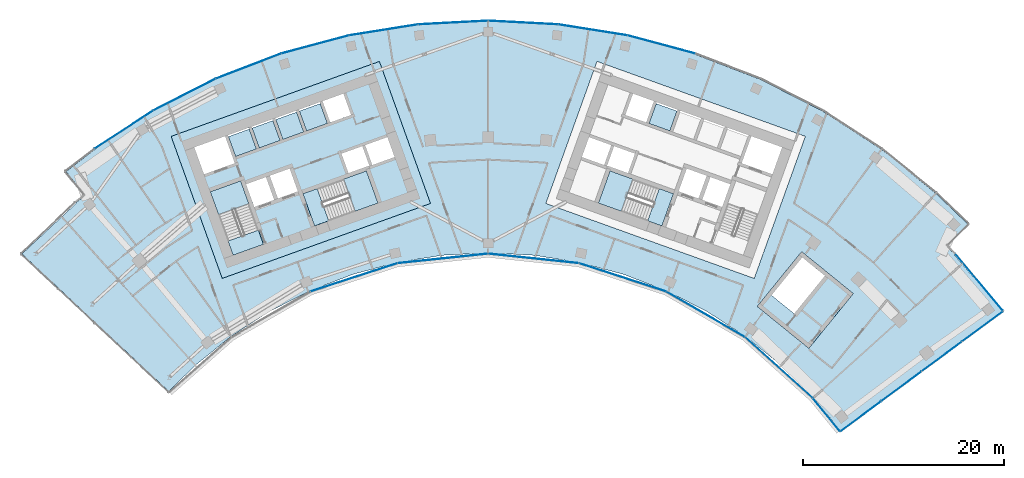
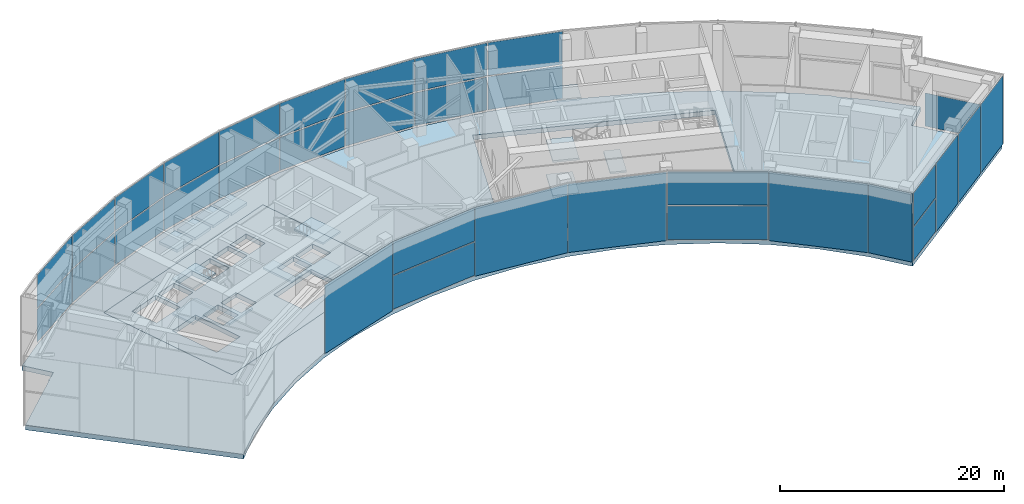
# One storey, part 14 of 26: 33 plates, 17 slabs, 7 elements without a shape of their own.
"""IFC4 building model written with IfcOpenShell, lengths in metres."""

from ifc_helpers import new_model, si_unit, direction, frame, origin, origin_2d, place, context, subcontext, project, spatial, polyline, rectangle, outline, extrude, material, layer, layer_set, type_object, element, aggregate, save


model = new_model("IFC4")

# Units and contexts
model_context = context("Model", 3, precision=1e-05, world=origin(), true_north=direction((0.0, 1.0)))
body_context = subcontext(model_context, "Body", "Model", "MODEL_VIEW")
ifc_project = project(units=[si_unit("LENGTHUNIT", "METRE"), si_unit("AREAUNIT", "SQUARE_METRE"), si_unit("VOLUMEUNIT", "CUBIC_METRE"), si_unit("PLANEANGLEUNIT", "RADIAN"), si_unit("MASSUNIT", "GRAM", prefix="KILO")], contexts=[model_context])

# Site, building, storey
site_placement = place(None, origin())
site = spatial("IfcSite", under=ifc_project, at=site_placement, CompositionType="ELEMENT")
building_placement = place(site_placement, origin())
building = spatial("IfcBuilding", under=site, at=building_placement, Name="Stone Belt Terrace Tower", CompositionType="ELEMENT")
storey_placement = place(building_placement, frame((0.0, 0.0, 250.39990234375)))
storey = spatial("IfcBuildingStorey", under=building, at=storey_placement, Name="L61", CompositionType="ELEMENT", Elevation=250.39990234375)

# Curtain wall, plates
ifc_material_1 = material(Name="Aluminium 6063-T6 anodised frame", Category="aluminium")
ifc_layer_1 = layer(ifc_material_1, 0.14990234375)
ifc_layer_set_1 = layer_set([ifc_layer_1], Name="CW-A unitised convex-face curtain wall")
curtain_wall_type_1 = type_object("IfcCurtainWallType", Name="CW-A unitised convex-face curtain wall", PredefinedType="NOTDEFINED", material=ifc_layer_set_1)
curtain_wall_1_placement = place(storey_placement, origin())
curtain_wall_1 = element("IfcCurtainWall", 1, at=curtain_wall_1_placement, inside=storey, type_object=curtain_wall_type_1, Name="CW-A convex face L61", PredefinedType="NOTDEFINED")
ifc_material_2 = material(Name="Terracotta coloured glazed ceramic", Category="masonry")
ifc_layer_2 = layer(ifc_material_2, 0.031982421875)
ifc_layer_set_2 = layer_set([ifc_layer_2], Name="CW-A ceramic louvre panel 32")
plate_type_1 = type_object("IfcPlateType", Name="CW-A ceramic louvre panel 32", PredefinedType="CURTAIN_PANEL", material=ifc_layer_set_2)
plate_1_placement = place(storey_placement, frame((17.207275390625, 64.218505859375, 0.14013671875), z_axis=(0.0, 0.0, 1.0), x_axis=(-0.965925826289, 0.258819045103, 0.0)))
plate_1 = element("IfcPlate", 2, at=plate_1_placement, type_object=plate_type_1, Name="CW-A louvre panel 6.1", PredefinedType="CURTAIN_PANEL", context=body_context, shape_type="SweptSolid", body=[
    extrude(rectangle(XDim=6.90087890625, YDim=0.031982421875, at=origin_2d()), origin(), (0.0, 0.0, 1.0), 3.590087890625),
])
plate_2_placement = place(storey_placement, frame((17.207275390625, 64.218505859375, 3.8701171875), z_axis=(0.0, 0.0, 1.0), x_axis=(-0.965925826289, 0.258819045103, 0.0)))
plate_2 = element("IfcPlate", 3, at=plate_2_placement, type_object=plate_type_1, Name="CW-A louvre panel 6.2", PredefinedType="CURTAIN_PANEL", context=body_context, shape_type="SweptSolid", body=[
    extrude(rectangle(XDim=6.90087890625, YDim=0.031982421875, at=origin_2d()), origin(), (0.0, 0.0, 1.0), 3.590087890625),
])
plate_3_placement = place(storey_placement, frame((10.400390625, 65.665283203125, 0.14013671875), z_axis=(0.0, 0.0, 1.0), x_axis=(-0.987688340595, 0.15643446504, 0.0)))
plate_3 = element("IfcPlate", 4, at=plate_3_placement, type_object=plate_type_1, Name="CW-A louvre panel 7.1", PredefinedType="CURTAIN_PANEL", context=body_context, shape_type="SweptSolid", body=[
    extrude(rectangle(XDim=6.90087890625, YDim=0.031982421875, at=origin_2d()), origin(), (0.0, 0.0, 1.0), 3.590087890625),
])
plate_4_placement = place(storey_placement, frame((10.400390625, 65.665283203125, 3.8701171875), z_axis=(0.0, 0.0, 1.0), x_axis=(-0.987688340595, 0.15643446504, 0.0)))
plate_4 = element("IfcPlate", 5, at=plate_4_placement, type_object=plate_type_1, Name="CW-A louvre panel 7.2", PredefinedType="CURTAIN_PANEL", context=body_context, shape_type="SweptSolid", body=[
    extrude(rectangle(XDim=6.90087890625, YDim=0.031982421875, at=origin_2d()), origin(), (0.0, 0.0, 1.0), 3.590087890625),
])
plate_5_placement = place(storey_placement, frame((3.4794921875, 66.392822265625, 0.14013671875), z_axis=(0.0, 0.0, 1.0), x_axis=(-0.998629534755, 0.052335956243, 0.0)))
plate_5 = element("IfcPlate", 6, at=plate_5_placement, type_object=plate_type_1, Name="CW-A louvre panel 8.1", PredefinedType="CURTAIN_PANEL", context=body_context, shape_type="SweptSolid", body=[
    extrude(rectangle(XDim=6.90087890625, YDim=0.031982421875, at=origin_2d()), origin(), (0.0, 0.0, 1.0), 3.590087890625),
])
plate_6_placement = place(storey_placement, frame((3.4794921875, 66.392822265625, 3.8701171875), z_axis=(0.0, 0.0, 1.0), x_axis=(-0.998629534755, 0.052335956243, 0.0)))
plate_6 = element("IfcPlate", 7, at=plate_6_placement, type_object=plate_type_1, Name="CW-A louvre panel 8.2", PredefinedType="CURTAIN_PANEL", context=body_context, shape_type="SweptSolid", body=[
    extrude(rectangle(XDim=6.90087890625, YDim=0.031982421875, at=origin_2d()), origin(), (0.0, 0.0, 1.0), 3.590087890625),
])
plate_7_placement = place(storey_placement, frame((-3.4794921875, 66.392822265625, 0.14013671875), z_axis=(0.0, 0.0, 1.0), x_axis=(-0.998629534755, -0.052335956243, 0.0)))
plate_7 = element("IfcPlate", 8, at=plate_7_placement, type_object=plate_type_1, Name="CW-A louvre panel 9.1", PredefinedType="CURTAIN_PANEL", context=body_context, shape_type="SweptSolid", body=[
    extrude(rectangle(XDim=6.90087890625, YDim=0.031982421875, at=origin_2d()), origin(), (0.0, 0.0, 1.0), 3.590087890625),
])
plate_8_placement = place(storey_placement, frame((-3.4794921875, 66.392822265625, 3.8701171875), z_axis=(0.0, 0.0, 1.0), x_axis=(-0.998629534755, -0.052335956243, 0.0)))
plate_8 = element("IfcPlate", 9, at=plate_8_placement, type_object=plate_type_1, Name="CW-A louvre panel 9.2", PredefinedType="CURTAIN_PANEL", context=body_context, shape_type="SweptSolid", body=[
    extrude(rectangle(XDim=6.90087890625, YDim=0.031982421875, at=origin_2d()), origin(), (0.0, 0.0, 1.0), 3.590087890625),
])
plate_9_placement = place(storey_placement, frame((-10.400390625, 65.665283203125, 0.14013671875), z_axis=(0.0, 0.0, 1.0), x_axis=(-0.987688340595, -0.15643446504, 0.0)))
plate_9 = element("IfcPlate", 10, at=plate_9_placement, type_object=plate_type_1, Name="CW-A louvre panel 10.1", PredefinedType="CURTAIN_PANEL", context=body_context, shape_type="SweptSolid", body=[
    extrude(rectangle(XDim=6.90087890625, YDim=0.031982421875, at=origin_2d()), origin(), (0.0, 0.0, 1.0), 3.590087890625),
])
plate_10_placement = place(storey_placement, frame((-10.400390625, 65.665283203125, 3.8701171875), z_axis=(0.0, 0.0, 1.0), x_axis=(-0.987688340595, -0.15643446504, 0.0)))
plate_10 = element("IfcPlate", 11, at=plate_10_placement, type_object=plate_type_1, Name="CW-A louvre panel 10.2", PredefinedType="CURTAIN_PANEL", context=body_context, shape_type="SweptSolid", body=[
    extrude(rectangle(XDim=6.90087890625, YDim=0.031982421875, at=origin_2d()), origin(), (0.0, 0.0, 1.0), 3.590087890625),
])
plate_11_placement = place(storey_placement, frame((-17.207275390625, 64.218505859375, 0.14013671875), z_axis=(0.0, 0.0, 1.0), x_axis=(-0.965925826289, -0.258819045103, 0.0)))
plate_11 = element("IfcPlate", 12, at=plate_11_placement, type_object=plate_type_1, Name="CW-A louvre panel 11.1", PredefinedType="CURTAIN_PANEL", context=body_context, shape_type="SweptSolid", body=[
    extrude(rectangle(XDim=6.90087890625, YDim=0.031982421875, at=origin_2d()), origin(), (0.0, 0.0, 1.0), 3.590087890625),
])
plate_12_placement = place(storey_placement, frame((-17.207275390625, 64.218505859375, 3.8701171875), z_axis=(0.0, 0.0, 1.0), x_axis=(-0.965925826289, -0.258819045103, 0.0)))
plate_12 = element("IfcPlate", 13, at=plate_12_placement, type_object=plate_type_1, Name="CW-A louvre panel 11.2", PredefinedType="CURTAIN_PANEL", context=body_context, shape_type="SweptSolid", body=[
    extrude(rectangle(XDim=6.90087890625, YDim=0.031982421875, at=origin_2d()), origin(), (0.0, 0.0, 1.0), 3.590087890625),
])
plate_13_placement = place(storey_placement, frame((-23.82568359375, 62.068115234375, 0.14013671875), z_axis=(0.0, 0.0, 1.0), x_axis=(-0.933580426497, -0.358367949545, 0.0)))
plate_13 = element("IfcPlate", 14, at=plate_13_placement, type_object=plate_type_1, Name="CW-A louvre panel 12.1", PredefinedType="CURTAIN_PANEL", context=body_context, shape_type="SweptSolid", body=[
    extrude(rectangle(XDim=6.90087890625, YDim=0.031982421875, at=origin_2d()), origin(), (0.0, 0.0, 1.0), 3.590087890625),
])
plate_14_placement = place(storey_placement, frame((-23.82568359375, 62.068115234375, 3.8701171875), z_axis=(0.0, 0.0, 1.0), x_axis=(-0.933580426497, -0.358367949545, 0.0)))
plate_14 = element("IfcPlate", 15, at=plate_14_placement, type_object=plate_type_1, Name="CW-A louvre panel 12.2", PredefinedType="CURTAIN_PANEL", context=body_context, shape_type="SweptSolid", body=[
    extrude(rectangle(XDim=6.90087890625, YDim=0.031982421875, at=origin_2d()), origin(), (0.0, 0.0, 1.0), 3.590087890625),
])
plate_15_placement = place(storey_placement, frame((-30.18310546875, 59.237548828125, 0.14013671875), z_axis=(0.0, 0.0, 1.0), x_axis=(-0.891006524188, -0.45399049974, 0.0)))
plate_15 = element("IfcPlate", 16, at=plate_15_placement, type_object=plate_type_1, Name="CW-A louvre panel 13.1", PredefinedType="CURTAIN_PANEL", context=body_context, shape_type="SweptSolid", body=[
    extrude(rectangle(XDim=6.90087890625, YDim=0.031982421875, at=origin_2d()), origin(), (0.0, 0.0, 1.0), 3.590087890625),
])
plate_16_placement = place(storey_placement, frame((-30.18310546875, 59.237548828125, 3.8701171875), z_axis=(0.0, 0.0, 1.0), x_axis=(-0.891006524188, -0.45399049974, 0.0)))
plate_16 = element("IfcPlate", 17, at=plate_16_placement, type_object=plate_type_1, Name="CW-A louvre panel 13.2", PredefinedType="CURTAIN_PANEL", context=body_context, shape_type="SweptSolid", body=[
    extrude(rectangle(XDim=6.90087890625, YDim=0.031982421875, at=origin_2d()), origin(), (0.0, 0.0, 1.0), 3.590087890625),
])
plate_17_placement = place(storey_placement, frame((-36.209716796875, 55.758056640625, 0.14013671875), z_axis=(0.0, 0.0, 1.0), x_axis=(-0.838670567945, -0.544639035015, 0.0)))
plate_17 = element("IfcPlate", 18, at=plate_17_placement, type_object=plate_type_1, Name="CW-A louvre panel 14.1", PredefinedType="CURTAIN_PANEL", context=body_context, shape_type="SweptSolid", body=[
    extrude(rectangle(XDim=6.900634765625, YDim=0.031982421875, at=origin_2d()), origin(), (0.0, 0.0, 1.0), 3.590087890625),
])
plate_18_placement = place(storey_placement, frame((-36.209716796875, 55.758056640625, 3.8701171875), z_axis=(0.0, 0.0, 1.0), x_axis=(-0.838670567945, -0.544639035015, 0.0)))
plate_18 = element("IfcPlate", 19, at=plate_18_placement, type_object=plate_type_1, Name="CW-A louvre panel 14.2", PredefinedType="CURTAIN_PANEL", context=body_context, shape_type="SweptSolid", body=[
    extrude(rectangle(XDim=6.900634765625, YDim=0.031982421875, at=origin_2d()), origin(), (0.0, 0.0, 1.0), 3.590087890625),
])
aggregate(curtain_wall_1, [plate_1, plate_2, plate_3, plate_4, plate_5, plate_6, plate_7, plate_8, plate_9, plate_10, plate_11, plate_12, plate_13, plate_14, plate_15, plate_16, plate_17, plate_18])

ifc_layer_3 = layer(ifc_material_1, 0.14990234375)
ifc_layer_set_3 = layer_set([ifc_layer_3], Name="CW-B unitised concave-face curtain wall")
curtain_wall_type_2 = type_object("IfcCurtainWallType", Name="CW-B unitised concave-face curtain wall", PredefinedType="NOTDEFINED", material=ifc_layer_set_3)
curtain_wall_2_placement = place(storey_placement, origin())
curtain_wall_2 = element("IfcCurtainWall", 20, at=curtain_wall_2_placement, inside=storey, type_object=curtain_wall_type_2, Name="CW-B concave face L61", PredefinedType="NOTDEFINED")
ifc_layer_4 = layer(ifc_material_2, 0.030029296875)
ifc_layer_set_4 = layer_set([ifc_layer_4], Name="CW-B ceramic louvre panel 30")
plate_type_2 = type_object("IfcPlateType", Name="CW-B ceramic louvre panel 30", PredefinedType="CURTAIN_PANEL", material=ifc_layer_set_4)
plate_19_placement = place(storey_placement, frame((-13.345458984375, 41.072998046875, 0.0), z_axis=(0.0, 0.0, 1.0), x_axis=(0.951056516295, 0.309016994375, 0.0)))
plate_19 = element("IfcPlate", 21, at=plate_19_placement, type_object=plate_type_2, Name="CW-B louvre panel 3.1", PredefinedType="CURTAIN_PANEL", context=body_context, shape_type="SweptSolid", body=[
    extrude(rectangle(XDim=9.0126953125, YDim=0.030029296875, at=origin_2d()), origin(), (0.0, 0.0, 1.0), 7.47998046875),
])
plate_20_placement = place(storey_placement, frame((-4.51416015625, 42.9501953125, 0.1201171875), z_axis=(0.0, 0.0, 1.0), x_axis=(0.994521895368, 0.104528463268, 0.0)))
plate_20 = element("IfcPlate", 22, at=plate_20_placement, type_object=plate_type_2, Name="CW-B louvre panel 4.1", PredefinedType="CURTAIN_PANEL", context=body_context, shape_type="SweptSolid", body=[
    extrude(rectangle(XDim=9.0126953125, YDim=0.030029296875, at=origin_2d()), origin(), (0.0, 0.0, 1.0), 3.6201171875),
])
plate_21_placement = place(storey_placement, frame((-4.51416015625, 42.9501953125, 3.860107421875), z_axis=(0.0, 0.0, 1.0), x_axis=(0.994521895368, 0.104528463268, 0.0)))
plate_21 = element("IfcPlate", 23, at=plate_21_placement, type_object=plate_type_2, Name="CW-B louvre panel 4.2", PredefinedType="CURTAIN_PANEL", context=body_context, shape_type="SweptSolid", body=[
    extrude(rectangle(XDim=9.0126953125, YDim=0.030029296875, at=origin_2d()), origin(), (0.0, 0.0, 1.0), 3.6201171875),
])
plate_22_placement = place(storey_placement, frame((4.51416015625, 42.9501953125, 0.0), z_axis=(0.0, 0.0, 1.0), x_axis=(0.994521895368, -0.104528463268, 0.0)))
plate_22 = element("IfcPlate", 24, at=plate_22_placement, type_object=plate_type_2, Name="CW-B louvre panel 5.1", PredefinedType="CURTAIN_PANEL", context=body_context, shape_type="SweptSolid", body=[
    extrude(rectangle(XDim=9.0126953125, YDim=0.030029296875, at=origin_2d()), origin(), (0.0, 0.0, 1.0), 7.47998046875),
])
plate_23_placement = place(storey_placement, frame((13.345458984375, 41.072998046875, 0.0), z_axis=(0.0, 0.0, 1.0), x_axis=(0.951056516295, -0.309016994375, 0.0)))
plate_23 = element("IfcPlate", 25, at=plate_23_placement, type_object=plate_type_2, Name="CW-B louvre panel 6.1", PredefinedType="CURTAIN_PANEL", context=body_context, shape_type="SweptSolid", body=[
    extrude(rectangle(XDim=9.0126953125, YDim=0.030029296875, at=origin_2d()), origin(), (0.0, 0.0, 1.0), 7.47998046875),
])
plate_24_placement = place(storey_placement, frame((21.59326171875, 37.40087890625, 0.1201171875), z_axis=(0.0, 0.0, 1.0), x_axis=(0.866025403784, -0.5, 0.0)))
plate_24 = element("IfcPlate", 26, at=plate_24_placement, type_object=plate_type_2, Name="CW-B louvre panel 7.1", PredefinedType="CURTAIN_PANEL", context=body_context, shape_type="SweptSolid", body=[
    extrude(rectangle(XDim=9.0126953125, YDim=0.030029296875, at=origin_2d()), origin(), (0.0, 0.0, 1.0), 3.6201171875),
])
plate_25_placement = place(storey_placement, frame((21.59326171875, 37.40087890625, 3.860107421875), z_axis=(0.0, 0.0, 1.0), x_axis=(0.866025403784, -0.5, 0.0)))
plate_25 = element("IfcPlate", 27, at=plate_25_placement, type_object=plate_type_2, Name="CW-B louvre panel 7.2", PredefinedType="CURTAIN_PANEL", context=body_context, shape_type="SweptSolid", body=[
    extrude(rectangle(XDim=9.0126953125, YDim=0.030029296875, at=origin_2d()), origin(), (0.0, 0.0, 1.0), 3.6201171875),
])
plate_26_placement = place(storey_placement, frame((28.899169921875, 32.092529296875, 0.0), z_axis=(0.0, 0.0, 1.0), x_axis=(0.743144825477, -0.669130606359, 0.0)))
plate_26 = element("IfcPlate", 28, at=plate_26_placement, type_object=plate_type_2, Name="CW-B louvre panel 8.1", PredefinedType="CURTAIN_PANEL", context=body_context, shape_type="SweptSolid", body=[
    extrude(rectangle(XDim=9.01708984375, YDim=0.030029296875, at=origin_2d()), origin(), (0.0, 0.0, 1.0), 7.47998046875),
])
plate_27_placement = place(storey_placement, frame((33.611572265625, 27.4150390625, 0.0), z_axis=(0.0, 0.0, 1.0), x_axis=(0.632397726807, -0.774643863417, 0.0)))
plate_27 = element("IfcPlate", 29, at=plate_27_placement, type_object=plate_type_2, Name="CW-B louvre panel 9.1", PredefinedType="CURTAIN_PANEL", context=body_context, shape_type="SweptSolid", body=[
    extrude(rectangle(XDim=4.173828125, YDim=0.030029296875, at=origin_2d()), origin(), (0.0, 0.0, 1.0), 7.47998046875),
])
aggregate(curtain_wall_2, [plate_19, plate_20, plate_21, plate_22, plate_23, plate_24, plate_25, plate_26, plate_27])

ifc_layer_5 = layer(ifc_material_1, 0.14990234375)
ifc_layer_set_5 = layer_set([ifc_layer_5], Name="CW-C stick curtain wall, horn ends and notches")
curtain_wall_type_3 = type_object("IfcCurtainWallType", Name="CW-C stick curtain wall, horn ends and notches", PredefinedType="NOTDEFINED", material=ifc_layer_set_5)
curtain_wall_3_placement = place(storey_placement, origin())
curtain_wall_3 = element("IfcCurtainWall", 30, at=curtain_wall_3_placement, inside=storey, type_object=curtain_wall_type_3, Name="CW-C end face L61", PredefinedType="NOTDEFINED")
ifc_layer_6 = layer(ifc_material_2, 0.028076171875)
ifc_layer_set_6 = layer_set([ifc_layer_6], Name="CW-C ceramic louvre panel 28")
plate_type_3 = type_object("IfcPlateType", Name="CW-C ceramic louvre panel 28", PredefinedType="CURTAIN_PANEL", material=ifc_layer_set_6)
plate_28_placement = place(storey_placement, frame((37.032470703125, 27.263916015625, 0.1201171875), z_axis=(0.0, 0.0, 1.0), x_axis=(0.804329077539, 0.594184091865, 0.0)))
plate_28 = element("IfcPlate", 31, at=plate_28_placement, type_object=plate_type_3, Name="CW-C louvre panel 1.1", PredefinedType="CURTAIN_PANEL", context=body_context, shape_type="SweptSolid", body=[
    extrude(rectangle(XDim=4.968017578125, YDim=0.028076171875, at=origin_2d()), origin(), (0.0, 0.0, 1.0), 3.6201171875),
])
plate_29_placement = place(storey_placement, frame((37.032470703125, 27.263916015625, 3.860107421875), z_axis=(0.0, 0.0, 1.0), x_axis=(0.804329077539, 0.594184091865, 0.0)))
plate_29 = element("IfcPlate", 32, at=plate_29_placement, type_object=plate_type_3, Name="CW-C louvre panel 1.2", PredefinedType="CURTAIN_PANEL", context=body_context, shape_type="SweptSolid", body=[
    extrude(rectangle(XDim=4.968017578125, YDim=0.028076171875, at=origin_2d()), origin(), (0.0, 0.0, 1.0), 3.6201171875),
])
plate_30_placement = place(storey_placement, frame((41.0654296875, 30.2431640625, 0.0), z_axis=(0.0, 0.0, 1.0), x_axis=(0.804329077539, 0.594184091865, 0.0)))
plate_30 = element("IfcPlate", 33, at=plate_30_placement, type_object=plate_type_3, Name="CW-C louvre panel 2.1", PredefinedType="CURTAIN_PANEL", context=body_context, shape_type="SweptSolid", body=[
    extrude(rectangle(XDim=4.93994140625, YDim=0.028076171875, at=origin_2d()), origin(), (0.0, 0.0, 1.0), 7.47998046875),
])
plate_31_placement = place(storey_placement, frame((45.0869140625, 33.2138671875, 0.0), z_axis=(0.0, 0.0, 1.0), x_axis=(0.804329077539, 0.594184091865, 0.0)))
plate_31 = element("IfcPlate", 34, at=plate_31_placement, type_object=plate_type_3, Name="CW-C louvre panel 3.1", PredefinedType="CURTAIN_PANEL", context=body_context, shape_type="SweptSolid", body=[
    extrude(rectangle(XDim=4.93994140625, YDim=0.028076171875, at=origin_2d()), origin(), (0.0, 0.0, 1.0), 7.47998046875),
])
plate_32_placement = place(storey_placement, frame((49.12255859375, 36.195068359375, 0.0), z_axis=(0.0, 0.0, 1.0), x_axis=(0.804329077539, 0.594184091865, 0.0)))
plate_32 = element("IfcPlate", 35, at=plate_32_placement, type_object=plate_type_3, Name="CW-C louvre panel 4.1", PredefinedType="CURTAIN_PANEL", context=body_context, shape_type="SweptSolid", body=[
    extrude(rectangle(XDim=4.974365234375, YDim=0.028076171875, at=origin_2d()), origin(), (0.0, 0.0, 1.0), 7.47998046875),
])
aggregate(curtain_wall_3, [plate_28, plate_29, plate_30, plate_31, plate_32])

# Curtain wall, plate
curtain_wall_4_placement = place(storey_placement, origin())
curtain_wall_4 = element("IfcCurtainWall", 36, at=curtain_wall_4_placement, inside=storey, type_object=curtain_wall_type_3, Name="CW-C notch face L61", PredefinedType="NOTDEFINED")
plate_33_placement = place(storey_placement, frame((48.780517578125, 40.602783203125, 0.1201171875), z_axis=(0.0, 0.0, 1.0), x_axis=(-0.639949612294, 0.768416874961, 0.0)))
plate_33 = element("IfcPlate", 37, at=plate_33_placement, type_object=plate_type_3, Name="CW-C louvre panel 1.1", PredefinedType="CURTAIN_PANEL", context=body_context, shape_type="SweptSolid", body=[
    extrude(rectangle(XDim=7.359375, YDim=0.028076171875, at=origin_2d()), origin(), (0.0, 0.0, 1.0), 3.6201171875),
])
aggregate(curtain_wall_4, [plate_33])

# Slabs
ifc_material_3 = material(Name="Concrete B40", Category="concrete")
ifc_layer_7 = layer(ifc_material_3, 0.5)
ifc_layer_set_7 = layer_set([ifc_layer_7], Name="Core floor slab 500")
slab_type_1 = type_object("IfcSlabType", Name="Core floor slab 500", PredefinedType="FLOOR", material=ifc_layer_set_7)
slab_1_placement = place(storey_placement, frame((0.0, 0.0, -0.5)))
element("IfcSlab", 38, at=slab_1_placement, inside=storey, type_object=slab_type_1, Name="Core A floor L61", PredefinedType="FLOOR", context=body_context, shape_type="SweptSolid", body=[
    extrude(outline(polyline([(-26.43505859375, 40.968994140625), (-5.735107421875, 48.4189453125), (-10.81396484375, 62.531982421875), (-31.513916015625, 55.0830078125), (-26.43505859375, 40.968994140625)]), holes=[polyline([(-24.60791015625, 50.659912109375), (-22.847900390625, 45.76806640625), (-25.85888671875, 44.68408203125), (-27.618896484375, 49.575927734375), (-24.60791015625, 50.659912109375)]), polyline([(-21.27392578125, 48.778076171875), (-23.25, 48.06689453125), (-24.06298828125, 50.324951171875), (-22.0869140625, 51.035888671875), (-21.27392578125, 48.778076171875)]), polyline([(-18.922119140625, 49.6240234375), (-20.89794921875, 48.9130859375), (-21.7109375, 51.1708984375), (-19.735107421875, 51.883056640625), (-18.922119140625, 49.6240234375)]), polyline([(-28.24609375, 51.31689453125), (-29.2109375, 53.9990234375), (-26.153076171875, 55.09912109375), (-25.18798828125, 52.41796875), (-28.24609375, 51.31689453125)]), polyline([(-23.801025390625, 55.946044921875), (-23.0390625, 53.8291015625), (-25.10888671875, 53.083984375), (-25.87109375, 55.200927734375), (-23.801025390625, 55.946044921875)]), polyline([(-21.447998046875, 56.7919921875), (-20.68603515625, 54.675048828125), (-22.756103515625, 53.929931640625), (-23.51806640625, 56.047119140625), (-21.447998046875, 56.7919921875)]), polyline([(-10.955078125, 48.452880859375), (-15.846923828125, 46.69189453125), (-16.998046875, 49.89208984375), (-12.10595703125, 51.652099609375), (-10.955078125, 48.452880859375)]), polyline([(-11.847900390625, 52.116943359375), (-11.864990234375, 52.1640625), (-13.887939453125, 51.43603515625), (-14.58203125, 53.364990234375), (-12.511962890625, 54.110107421875), (-11.801025390625, 52.134033203125), (-11.847900390625, 52.116943359375)]), polyline([(-9.30810546875, 53.031005859375), (-11.51904296875, 52.235107421875), (-12.22998046875, 54.2109375), (-10.01904296875, 55.007080078125), (-9.30810546875, 53.031005859375)]), polyline([(-21.166015625, 56.89404296875), (-19.095947265625, 57.638916015625), (-18.333984375, 55.52197265625), (-20.404052734375, 54.777099609375), (-21.166015625, 56.89404296875)]), polyline([(-16.743896484375, 58.485107421875), (-15.98193359375, 56.367919921875), (-18.052001953125, 55.623046875), (-18.81396484375, 57.739990234375), (-16.743896484375, 58.485107421875)]), polyline([(-14.39111328125, 59.33203125), (-13.6298828125, 57.215087890625), (-15.699951171875, 56.469970703125), (-16.4609375, 58.5869140625), (-14.39111328125, 59.33203125)])]), origin(), (0.0, 0.0, 1.0), 0.5),
])
slab_2_placement = place(storey_placement, frame((0.0, 0.0, -0.5)))
element("IfcSlab", 39, at=slab_2_placement, inside=storey, type_object=slab_type_1, Name="Exit stair ST3B floor L61", PredefinedType="FLOOR", context=body_context, shape_type="SweptSolid", body=[
    extrude(outline(polyline([(26.741943359375, 38.18408203125), (31.866943359375, 34.02392578125), (36.278076171875, 39.458984375), (31.154052734375, 43.618896484375), (26.741943359375, 38.18408203125)]), holes=[polyline([(30.407958984375, 37.462890625), (28.156005859375, 39.291015625), (31.2119140625, 43.055908203125), (33.464111328125, 41.22802734375), (30.407958984375, 37.462890625)])]), origin(), (0.0, 0.0, 1.0), 0.5),
])
ifc_material_4 = material(Name="Concrete B60", Category="concrete")
ifc_layer_8 = layer(ifc_material_4, 0.5)
ifc_layer_set_8 = layer_set([ifc_layer_8], Name="Floor slab 500 B60")
slab_type_2 = type_object("IfcSlabType", Name="Floor slab 500 B60", PredefinedType="FLOOR", material=ifc_layer_set_8)
slab_3_placement = place(storey_placement, frame((0.0, 0.0, -0.5)))
element("IfcSlab", 40, at=slab_3_placement, inside=storey, type_object=slab_type_2, Name="Floor slab L61", PredefinedType="FLOOR", context=body_context, shape_type="SweptSolid", body=[
    extrude(outline(polyline([(-46.348876953125, 43.405517578125), (-40.95068359375, 48.439453125), (-40.99609375, 48.492919921875), (-40.510009765625, 48.8505859375), (-40.068603515625, 49.26220703125), (-41.961669921875, 51.589599609375), (-39.087646484375, 53.799560546875), (-35.640869140625, 56.0380859375), (-35.688232421875, 56.1123046875), (-33.25, 57.5908203125), (-27.048095703125, 60.750732421875), (-20.549560546875, 63.245361328125), (-13.826171875, 65.046875), (-6.951171875, 66.1357421875), (0.0, 66.5), (6.951171875, 66.1357421875), (13.826171875, 65.046875), (20.549560546875, 63.245361328125), (27.048095703125, 60.750732421875), (33.25, 57.5908203125), (39.087646484375, 53.799560546875), (41.961669921875, 51.589599609375), (41.904296875, 51.518798828125), (44.497314453125, 49.419189453125), (47.66748046875, 46.368896484375), (45.51708984375, 44.277099609375), (45.90771484375, 43.81689453125), (46.348876953125, 43.405517578125), (46.297607421875, 43.357421875), (51.074951171875, 37.730712890625), (34.98828125, 25.846923828125), (32.326904296875, 29.107177734375), (29.107177734375, 32.326904296875), (25.568603515625, 35.192138671875), (21.75, 37.672119140625), (17.693115234375, 39.7392578125), (13.442138671875, 41.37109375), (9.044189453125, 42.54931640625), (4.547119140625, 43.26171875), (0.0, 43.5), (-4.547119140625, 43.26171875), (-9.044189453125, 42.54931640625), (-13.442138671875, 41.37109375), (-17.693115234375, 39.7392578125), (-21.75, 37.672119140625), (-25.568603515625, 35.192138671875), (-29.107177734375, 32.326904296875), (-31.750732421875, 29.734375), (-46.348876953125, 43.405517578125)]), holes=[polyline([(-31.51416015625, 55.082763671875), (-26.434814453125, 40.968994140625), (-5.734619140625, 48.418701171875), (-10.81396484375, 62.532470703125), (-31.51416015625, 55.082763671875)]), polyline([(31.51416015625, 55.082763671875), (10.81396484375, 62.532470703125), (5.734619140625, 48.418701171875), (26.434814453125, 40.968994140625), (31.51416015625, 55.082763671875)]), polyline([(36.2783203125, 39.459228515625), (31.15380859375, 43.61865234375), (26.742431640625, 38.18359375), (31.86669921875, 34.024169921875), (36.2783203125, 39.459228515625)])]), origin(), (0.0, 0.0, 1.0), 0.5),
])
ifc_layer_9 = layer(ifc_material_3, 0.300048828125)
ifc_layer_set_9 = layer_set([ifc_layer_9], Name="Lift pit floor 300")
slab_type_3 = type_object("IfcSlabType", Name="Lift pit floor 300", PredefinedType="FLOOR", material=ifc_layer_set_9)
slab_4_placement = place(storey_placement, frame((0.0, 0.0, 5.5)))
element("IfcSlab", 41, at=slab_4_placement, inside=storey, type_object=slab_type_3, Name="Lift HR pit floor N0", PredefinedType="FLOOR", context=body_context, shape_type="SweptSolid", body=[
    extrude(outline(polyline([(-25.10888671875, 53.083740234375), (-23.038818359375, 53.82861328125), (-23.75, 55.804443359375), (-25.81982421875, 55.0595703125), (-25.10888671875, 53.083740234375)])), origin(), (0.0, 0.0, 1.0), 0.300048828125),
])
slab_5_placement = place(storey_placement, frame((0.0, 0.0, 5.5)))
element("IfcSlab", 42, at=slab_5_placement, inside=storey, type_object=slab_type_3, Name="Lift HR pit floor N1", PredefinedType="FLOOR", context=body_context, shape_type="SweptSolid", body=[
    extrude(outline(polyline([(-22.756591796875, 53.93017578125), (-20.6865234375, 54.67529296875), (-21.397705078125, 56.651123046875), (-23.467529296875, 55.90625), (-22.756591796875, 53.93017578125)])), origin(), (0.0, 0.0, 1.0), 0.300048828125),
])
slab_6_placement = place(storey_placement, frame((0.0, 0.0, 5.5)))
element("IfcSlab", 43, at=slab_6_placement, inside=storey, type_object=slab_type_3, Name="Lift HR pit floor N2", PredefinedType="FLOOR", context=body_context, shape_type="SweptSolid", body=[
    extrude(outline(polyline([(-20.404296875, 54.77685546875), (-18.334228515625, 55.521728515625), (-19.045166015625, 57.49755859375), (-21.115234375, 56.752685546875), (-20.404296875, 54.77685546875)])), origin(), (0.0, 0.0, 1.0), 0.300048828125),
])
slab_7_placement = place(storey_placement, frame((0.0, 0.0, 5.5)))
element("IfcSlab", 44, at=slab_7_placement, inside=storey, type_object=slab_type_3, Name="Lift HR pit floor N3", PredefinedType="FLOOR", context=body_context, shape_type="SweptSolid", body=[
    extrude(outline(polyline([(-18.052001953125, 55.623291015625), (-15.98193359375, 56.368408203125), (-16.69287109375, 58.34423828125), (-18.762939453125, 57.599365234375), (-18.052001953125, 55.623291015625)])), origin(), (0.0, 0.0, 1.0), 0.300048828125),
])
slab_8_placement = place(storey_placement, frame((0.0, 0.0, 5.5)))
element("IfcSlab", 45, at=slab_8_placement, inside=storey, type_object=slab_type_3, Name="Lift HR pit floor N3", PredefinedType="FLOOR", context=body_context, shape_type="SweptSolid", body=[
    extrude(outline(polyline([(18.052001953125, 55.623291015625), (15.98193359375, 56.368408203125), (16.69287109375, 58.34423828125), (18.762939453125, 57.599365234375), (18.052001953125, 55.623291015625)])), origin(), (0.0, 0.0, 1.0), 0.300048828125),
])

# Stair, slabs
stair_type = type_object("IfcStairType", Name="Exit stair 1500", PredefinedType="HALF_TURN_STAIR", material=ifc_material_3)
stair_1_placement = place(storey_placement, origin())
stair_1 = element("IfcStair", 46, at=stair_1_placement, inside=storey, type_object=stair_type, Name="L61 Exit stair 1 core A", PredefinedType="HALF_TURN_STAIR")
ifc_layer_10 = layer(ifc_material_3, 0.199951171875)
ifc_layer_set_10 = layer_set([ifc_layer_10], Name="Stair landing 200")
slab_type_4 = type_object("IfcSlabType", Name="Stair landing 200", PredefinedType="LANDING", material=ifc_layer_set_10)
slab_9_placement = place(storey_placement, frame((0.0, 0.0, 1.7001953125)))
slab_9 = element("IfcSlab", 47, at=slab_9_placement, type_object=slab_type_4, Name="ST1A landing 1", PredefinedType="LANDING", context=body_context, shape_type="SweptSolid", body=[
    extrude(outline(polyline([(-23.79541015625, 48.40087890625), (-24.6083984375, 50.659912109375), (-27.619384765625, 49.576171875), (-26.806396484375, 47.3173828125), (-23.79541015625, 48.40087890625)])), origin(), (0.0, 0.0, 1.0), 0.199951171875),
])
slab_10_placement = place(storey_placement, frame((0.0, 0.0, 3.60009765625)))
slab_10 = element("IfcSlab", 48, at=slab_10_placement, type_object=slab_type_4, Name="ST1A landing 2", PredefinedType="LANDING", context=body_context, shape_type="SweptSolid", body=[
    extrude(outline(polyline([(-22.339599609375, 44.355712890625), (-22.847900390625, 45.767822265625), (-25.85888671875, 44.684326171875), (-25.3505859375, 43.27197265625), (-22.339599609375, 44.355712890625)])), origin(), (0.0, 0.0, 1.0), 0.199951171875),
])
slab_11_placement = place(storey_placement, frame((0.0, 0.0, 5.5)))
slab_11 = element("IfcSlab", 49, at=slab_11_placement, type_object=slab_type_4, Name="ST1A landing 3", PredefinedType="LANDING", context=body_context, shape_type="SweptSolid", body=[
    extrude(outline(polyline([(-23.79541015625, 48.40087890625), (-24.6083984375, 50.659912109375), (-27.619384765625, 49.576171875), (-26.806396484375, 47.3173828125), (-23.79541015625, 48.40087890625)])), origin(), (0.0, 0.0, 1.0), 0.2001953125),
])
aggregate(stair_1, [slab_9, slab_10, slab_11])

stair_2_placement = place(storey_placement, origin())
stair_2 = element("IfcStair", 50, at=stair_2_placement, inside=storey, type_object=stair_type, Name="L61 Exit stair 2 core A", PredefinedType="HALF_TURN_STAIR")
slab_12_placement = place(storey_placement, frame((0.0, 0.0, 1.7001953125)))
slab_12 = element("IfcSlab", 51, at=slab_12_placement, type_object=slab_type_4, Name="ST2A landing 1", PredefinedType="LANDING", context=body_context, shape_type="SweptSolid", body=[
    extrude(outline(polyline([(-13.213623046875, 47.64013671875), (-10.95458984375, 48.453125), (-12.10595703125, 51.652099609375), (-14.36474609375, 50.839111328125), (-13.213623046875, 47.64013671875)])), origin(), (0.0, 0.0, 1.0), 0.199951171875),
])
slab_13_placement = place(storey_placement, frame((0.0, 0.0, 3.60009765625)))
slab_13 = element("IfcSlab", 52, at=slab_13_placement, type_object=slab_type_4, Name="ST2A landing 2", PredefinedType="LANDING", context=body_context, shape_type="SweptSolid", body=[
    extrude(outline(polyline([(-17.2587890625, 46.184326171875), (-15.8466796875, 46.6923828125), (-16.997802734375, 49.8916015625), (-18.41015625, 49.38330078125), (-17.2587890625, 46.184326171875)])), origin(), (0.0, 0.0, 1.0), 0.199951171875),
])
slab_14_placement = place(storey_placement, frame((0.0, 0.0, 5.5)))
slab_14 = element("IfcSlab", 53, at=slab_14_placement, type_object=slab_type_4, Name="ST2A landing 3", PredefinedType="LANDING", context=body_context, shape_type="SweptSolid", body=[
    extrude(outline(polyline([(-13.213623046875, 47.64013671875), (-10.95458984375, 48.453125), (-12.10595703125, 51.652099609375), (-14.36474609375, 50.839111328125), (-13.213623046875, 47.64013671875)])), origin(), (0.0, 0.0, 1.0), 0.2001953125),
])
aggregate(stair_2, [slab_12, slab_13, slab_14])

stair_3_placement = place(storey_placement, origin())
stair_3 = element("IfcStair", 54, at=stair_3_placement, inside=storey, type_object=stair_type, Name="L61 Exit stair 2 core B", PredefinedType="HALF_TURN_STAIR")
slab_15_placement = place(storey_placement, frame((0.0, 0.0, 1.7001953125)))
slab_15 = element("IfcSlab", 55, at=slab_15_placement, type_object=slab_type_4, Name="ST2B landing 1", PredefinedType="LANDING", context=body_context, shape_type="SweptSolid", body=[
    extrude(outline(polyline([(14.36474609375, 50.839111328125), (12.10595703125, 51.652099609375), (10.95458984375, 48.453125), (13.213623046875, 47.64013671875), (14.36474609375, 50.839111328125)])), origin(), (0.0, 0.0, 1.0), 0.199951171875),
])
slab_16_placement = place(storey_placement, frame((0.0, 0.0, 3.60009765625)))
slab_16 = element("IfcSlab", 56, at=slab_16_placement, type_object=slab_type_4, Name="ST2B landing 2", PredefinedType="LANDING", context=body_context, shape_type="SweptSolid", body=[
    extrude(outline(polyline([(18.41015625, 49.38330078125), (16.997802734375, 49.8916015625), (15.8466796875, 46.6923828125), (17.2587890625, 46.184326171875), (18.41015625, 49.38330078125)])), origin(), (0.0, 0.0, 1.0), 0.199951171875),
])
slab_17_placement = place(storey_placement, frame((0.0, 0.0, 5.5)))
slab_17 = element("IfcSlab", 57, at=slab_17_placement, type_object=slab_type_4, Name="ST2B landing 3", PredefinedType="LANDING", context=body_context, shape_type="SweptSolid", body=[
    extrude(outline(polyline([(14.36474609375, 50.839111328125), (12.10595703125, 51.652099609375), (10.95458984375, 48.453125), (13.213623046875, 47.64013671875), (14.36474609375, 50.839111328125)])), origin(), (0.0, 0.0, 1.0), 0.2001953125),
])
aggregate(stair_3, [slab_15, slab_16, slab_17])

save(model, "model.ifc")
